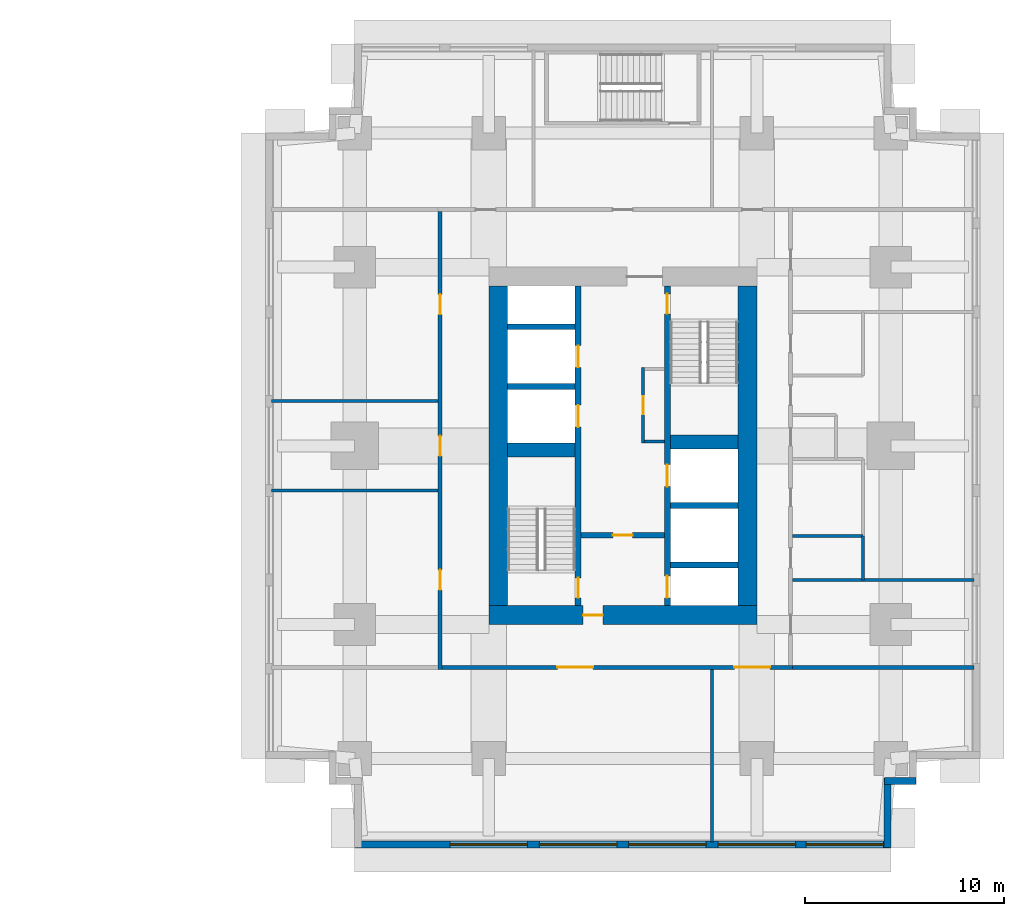
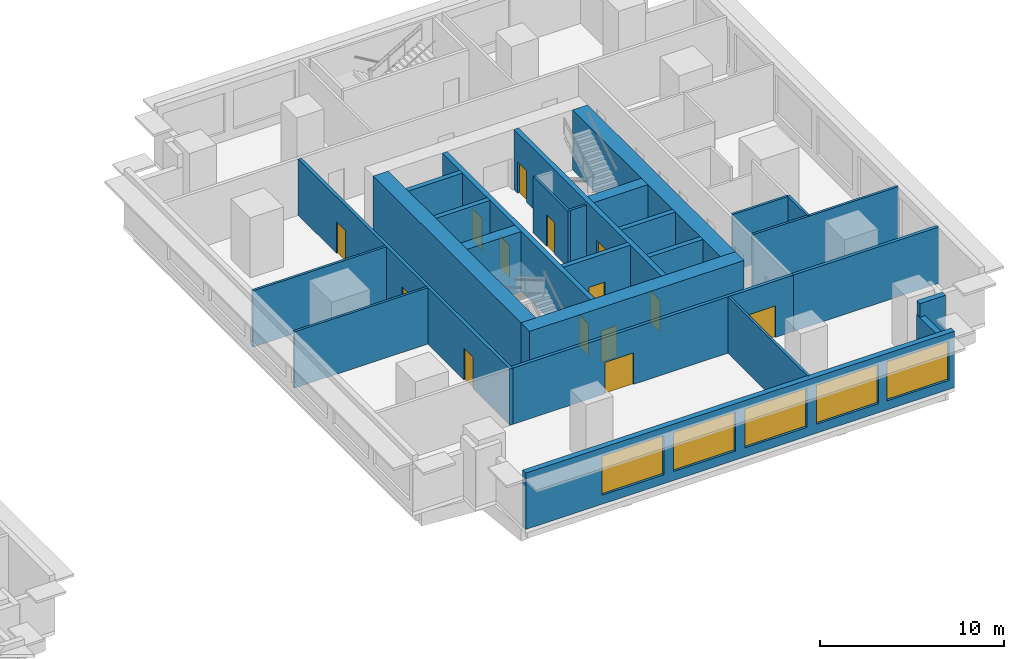
# One storey, part 6 of 11: 26 walls, 14 doors, 5 windows, 19 openings.
"""IFC4 building model written with IfcOpenShell, lengths in metres."""

from ifc_helpers import new_model, si_unit, direction, frame, frame_2d, origin, place, context, subcontext, project, spatial, rectangle, extrude, material, layer, layer_set, type_object, element, fill, save


model = new_model("IFC4")

# Units and contexts
model_context = context("Model", 3, precision=1e-05, world=origin(), true_north=direction((0.0, 1.0)))
body_context = subcontext(model_context, "Body", "Model", "MODEL_VIEW")
ifc_project = project(units=[si_unit("LENGTHUNIT", "METRE"), si_unit("AREAUNIT", "SQUARE_METRE"), si_unit("VOLUMEUNIT", "CUBIC_METRE"), si_unit("PLANEANGLEUNIT", "RADIAN"), si_unit("MASSUNIT", "GRAM", prefix="KILO")], contexts=[model_context])

# Site, building, storey
site_placement = place(None, origin())
site = spatial("IfcSite", under=ifc_project, at=site_placement, CompositionType="ELEMENT")
building_placement = place(site_placement, origin())
building = spatial("IfcBuilding", under=site, at=building_placement, Name="Namib Vertical Campus", CompositionType="ELEMENT")
storey_placement = place(building_placement, frame((0.0, 0.0, 53.0)))
storey = spatial("IfcBuildingStorey", under=building, at=storey_placement, Name="L12", CompositionType="ELEMENT", Elevation=53.0)

# Wall, openings, doors
ifc_material_1 = material(Name="Concrete C60/75", Category="concrete")
ifc_layer_1 = layer(ifc_material_1, 0.300048828125)
ifc_layer_set_1 = layer_set([ifc_layer_1], Name="Concrete C60/75")
wall_type_1 = type_object("IfcWallType", Name="Core inner wall 300", PredefinedType="SHEAR", material=ifc_layer_set_1)
wall_1_placement = place(storey_placement, frame((78.75, 12.199951171875, 0.0), z_axis=(0.0, 0.0, 1.0), x_axis=(0.0, 1.0, 0.0)))
wall_1 = element("IfcWall", 1, at=wall_1_placement, inside=storey, type_object=wall_type_1, Name="Core inner wall B L12 W1", PredefinedType="SHEAR", context=body_context, shape_type="SweptSolid", body=[
    extrude(rectangle(XDim=16.10009765625, YDim=0.300048828125, at=frame_2d((8.050048828125, 0.0))), origin(), (0.0, 0.0, 1.0), 4.0),
])
opening_1_placement = place(wall_1_placement, frame((0.39990234375, 0.0, 0.0)))
opening_1 = element("IfcOpeningElement", 2, at=opening_1_placement, cuts=wall_1, Name="Opening FD1", PredefinedType="OPENING", context=body_context, shape_type="SweptSolid", body=[
    extrude(rectangle(XDim=1.0, YDim=2.10009765625, at=frame_2d((0.5, 1.050048828125))), frame((0.0, 0.159912109375, 0.0), z_axis=(0.0, -1.0, 0.0), x_axis=(1.0, 0.0, 0.0)), (0.0, 0.0, 1.0), 0.320068359375),
])
opening_2_placement = place(wall_1_placement, frame((9.0, 0.0, 0.0)))
opening_2 = element("IfcOpeningElement", 3, at=opening_2_placement, cuts=wall_1, Name="Opening LD1", PredefinedType="OPENING", context=body_context, shape_type="SweptSolid", body=[
    extrude(rectangle(XDim=1.10009765625, YDim=2.10009765625, at=frame_2d((0.550048828125, 1.050048828125))), frame((0.0, 0.159912109375, 0.0), z_axis=(0.0, -1.0, 0.0), x_axis=(1.0, 0.0, 0.0)), (0.0, 0.0, 1.0), 0.320068359375),
])
opening_3_placement = place(wall_1_placement, frame((12.0, 0.0, 0.0)))
opening_3 = element("IfcOpeningElement", 4, at=opening_3_placement, cuts=wall_1, Name="Opening LD1", PredefinedType="OPENING", context=body_context, shape_type="SweptSolid", body=[
    extrude(rectangle(XDim=1.10009765625, YDim=2.10009765625, at=frame_2d((0.550048828125, 1.050048828125))), frame((0.0, 0.159912109375, 0.0), z_axis=(0.0, -1.0, 0.0), x_axis=(1.0, 0.0, 0.0)), (0.0, 0.0, 1.0), 0.320068359375),
])
ifc_material_2 = material(Name="Steel fire door", Category="steel")
door_type_1 = type_object("IfcDoorType", Name="Fire door 1000x2100", OperationType="SINGLE_SWING_RIGHT", PredefinedType="DOOR", material=ifc_material_2)
door_1_placement = place(opening_1_placement, origin())
door_1 = element("IfcDoor", 5, at=door_1_placement, inside=storey, type_object=door_type_1, Name="Stair door FD1 B L12 S1", OperationType="SINGLE_SWING_LEFT", OverallHeight=2.10009765625, OverallWidth=1.0, PredefinedType="DOOR", context=body_context, shape_type="SweptSolid", body=[
    extrude(rectangle(XDim=1.0, YDim=2.10009765625, at=frame_2d((0.5, 1.050048828125))), frame((0.0, 0.02490234375, 0.0), z_axis=(0.0, -1.0, 0.0), x_axis=(1.0, 0.0, 0.0)), (0.0, 0.0, 1.0), 0.050048828125),
])
fill(opening_1, door_1)
ifc_material_3 = material(Name="Stainless steel lift door", Category="steel")
door_type_2 = type_object("IfcDoorType", Name="Lift landing door 1100x2100", OperationType="DOUBLE_DOOR_SLIDING", PredefinedType="DOOR", material=ifc_material_3)
door_2_placement = place(opening_2_placement, origin())
door_2 = element("IfcDoor", 6, at=door_2_placement, inside=storey, type_object=door_type_2, Name="Lift landing door LD1 B-P1 L12", OperationType="DOUBLE_DOOR_SLIDING", OverallHeight=2.10009765625, OverallWidth=1.10009765625, PredefinedType="DOOR", context=body_context, shape_type="SweptSolid", body=[
    extrude(rectangle(XDim=1.10009765625, YDim=2.10009765625, at=frame_2d((0.550048828125, 1.050048828125))), frame((0.0, 0.02490234375, 0.0), z_axis=(0.0, -1.0, 0.0), x_axis=(1.0, 0.0, 0.0)), (0.0, 0.0, 1.0), 0.050048828125),
])
fill(opening_2, door_2)
door_3_placement = place(opening_3_placement, origin())
door_3 = element("IfcDoor", 7, at=door_3_placement, inside=storey, type_object=door_type_2, Name="Lift landing door LD1 B-P2 L12", OperationType="DOUBLE_DOOR_SLIDING", OverallHeight=2.10009765625, OverallWidth=1.10009765625, PredefinedType="DOOR", context=body_context, shape_type="SweptSolid", body=[
    extrude(rectangle(XDim=1.10009765625, YDim=2.10009765625, at=frame_2d((0.550048828125, 1.050048828125))), frame((0.0, 0.02490234375, 0.0), z_axis=(0.0, -1.0, 0.0), x_axis=(1.0, 0.0, 0.0)), (0.0, 0.0, 1.0), 0.050048828125),
])
fill(opening_3, door_3)

wall_2_placement = place(storey_placement, frame((83.25, 12.199951171875, 0.0), z_axis=(0.0, 0.0, 1.0), x_axis=(0.0, 1.0, 0.0)))
wall_2 = element("IfcWall", 8, at=wall_2_placement, inside=storey, type_object=wall_type_1, Name="Core inner wall B L12 W2", PredefinedType="SHEAR", context=body_context, shape_type="SweptSolid", body=[
    extrude(rectangle(XDim=16.10009765625, YDim=0.300048828125, at=frame_2d((8.050048828125, 0.0))), origin(), (0.0, 0.0, 1.0), 4.0),
])
opening_4_placement = place(wall_2_placement, frame((14.699951171875, 0.0, 0.0)))
opening_4 = element("IfcOpeningElement", 9, at=opening_4_placement, cuts=wall_2, Name="Opening FD1", PredefinedType="OPENING", context=body_context, shape_type="SweptSolid", body=[
    extrude(rectangle(XDim=1.0, YDim=2.10009765625, at=frame_2d((0.5, 1.050048828125))), frame((0.0, 0.159912109375, 0.0), z_axis=(0.0, -1.0, 0.0), x_axis=(1.0, 0.0, 0.0)), (0.0, 0.0, 1.0), 0.320068359375),
])
opening_5_placement = place(wall_2_placement, frame((0.39990234375, 0.0, 0.0)))
opening_5 = element("IfcOpeningElement", 10, at=opening_5_placement, cuts=wall_2, Name="Opening LD1", PredefinedType="OPENING", context=body_context, shape_type="SweptSolid", body=[
    extrude(rectangle(XDim=1.10009765625, YDim=2.10009765625, at=frame_2d((0.550048828125, 1.050048828125))), frame((0.0, 0.159912109375, 0.0), z_axis=(0.0, -1.0, 0.0), x_axis=(1.0, 0.0, 0.0)), (0.0, 0.0, 1.0), 0.320068359375),
])
opening_6_placement = place(wall_2_placement, frame((6.0, 0.0, 0.0)))
opening_6 = element("IfcOpeningElement", 11, at=opening_6_placement, cuts=wall_2, Name="Opening LD1", PredefinedType="OPENING", context=body_context, shape_type="SweptSolid", body=[
    extrude(rectangle(XDim=1.10009765625, YDim=2.10009765625, at=frame_2d((0.550048828125, 1.050048828125))), frame((0.0, 0.159912109375, 0.0), z_axis=(0.0, -1.0, 0.0), x_axis=(1.0, 0.0, 0.0)), (0.0, 0.0, 1.0), 0.320068359375),
])
door_4_placement = place(opening_4_placement, frame((1.0, 0.0, 0.0), z_axis=(0.0, 0.0, 1.0), x_axis=(-1.0, 0.0, 0.0)))
door_4 = element("IfcDoor", 12, at=door_4_placement, inside=storey, type_object=door_type_1, Name="Stair door FD1 B L12 S2", OperationType="SINGLE_SWING_LEFT", OverallHeight=2.10009765625, OverallWidth=1.0, PredefinedType="DOOR", context=body_context, shape_type="SweptSolid", body=[
    extrude(rectangle(XDim=1.0, YDim=2.10009765625, at=frame_2d((0.5, 1.050048828125))), frame((0.0, 0.02490234375, 0.0), z_axis=(0.0, -1.0, 0.0), x_axis=(1.0, 0.0, 0.0)), (0.0, 0.0, 1.0), 0.050048828125),
])
fill(opening_4, door_4)
door_5_placement = place(opening_5_placement, origin())
door_5 = element("IfcDoor", 13, at=door_5_placement, inside=storey, type_object=door_type_2, Name="Lift landing door LD1 B-FL1 L12", OperationType="DOUBLE_DOOR_SLIDING", OverallHeight=2.10009765625, OverallWidth=1.10009765625, PredefinedType="DOOR", context=body_context, shape_type="SweptSolid", body=[
    extrude(rectangle(XDim=1.10009765625, YDim=2.10009765625, at=frame_2d((0.550048828125, 1.050048828125))), frame((0.0, 0.02490234375, 0.0), z_axis=(0.0, -1.0, 0.0), x_axis=(1.0, 0.0, 0.0)), (0.0, 0.0, 1.0), 0.050048828125),
])
fill(opening_5, door_5)
door_6_placement = place(opening_6_placement, origin())
door_6 = element("IfcDoor", 14, at=door_6_placement, inside=storey, type_object=door_type_2, Name="Lift landing door LD1 B-P5 L12", OperationType="DOUBLE_DOOR_SLIDING", OverallHeight=2.10009765625, OverallWidth=1.10009765625, PredefinedType="DOOR", context=body_context, shape_type="SweptSolid", body=[
    extrude(rectangle(XDim=1.10009765625, YDim=2.10009765625, at=frame_2d((0.550048828125, 1.050048828125))), frame((0.0, 0.02490234375, 0.0), z_axis=(0.0, -1.0, 0.0), x_axis=(1.0, 0.0, 0.0)), (0.0, 0.0, 1.0), 0.050048828125),
])
fill(opening_6, door_6)

# Wall, opening, door
wall_3_placement = place(storey_placement, frame((78.89990234375, 15.75, 0.0), z_axis=(0.0, 0.0, 1.0), x_axis=(1.0, 0.0, 0.0)))
wall_3 = element("IfcWall", 15, at=wall_3_placement, inside=storey, type_object=wall_type_1, Name="Core inner wall B L12 W4", PredefinedType="SHEAR", context=body_context, shape_type="SweptSolid", body=[
    extrude(rectangle(XDim=4.2001953125, YDim=0.300048828125, at=frame_2d((2.10009765625, 0.0))), origin(), (0.0, 0.0, 1.0), 4.0),
])
opening_7_placement = place(wall_3_placement, frame((1.60009765625, 0.0, 0.0)))
opening_7 = element("IfcOpeningElement", 16, at=opening_7_placement, cuts=wall_3, Name="Opening FD5", PredefinedType="OPENING", context=body_context, shape_type="SweptSolid", body=[
    extrude(rectangle(XDim=1.0, YDim=2.10009765625, at=frame_2d((0.5, 1.050048828125))), frame((0.0, 0.159912109375, 0.0), z_axis=(0.0, -1.0, 0.0), x_axis=(1.0, 0.0, 0.0)), (0.0, 0.0, 1.0), 0.320068359375),
])
ifc_material_4 = material(Name="Steel fire door", Category="steel")
door_type_3 = type_object("IfcDoorType", Name="Fire door 1000x2100 120 min", OperationType="SINGLE_SWING_RIGHT", PredefinedType="DOOR", material=ifc_material_4)
door_7_placement = place(opening_7_placement, frame((1.0, 0.0, 0.0), z_axis=(0.0, 0.0, 1.0), x_axis=(-1.0, 0.0, 0.0)))
door_7 = element("IfcDoor", 17, at=door_7_placement, inside=storey, type_object=door_type_3, Name="Lobby door FD5 B L12", OperationType="SINGLE_SWING_RIGHT", OverallHeight=2.10009765625, OverallWidth=1.0, PredefinedType="DOOR", context=body_context, shape_type="SweptSolid", body=[
    extrude(rectangle(XDim=1.0, YDim=2.10009765625, at=frame_2d((0.5, 1.050048828125))), frame((0.0, 0.02490234375, 0.0), z_axis=(0.0, -1.0, 0.0), x_axis=(1.0, 0.0, 0.0)), (0.0, 0.0, 1.0), 0.050048828125),
])
fill(opening_7, door_7)

# Walls
for number, where, z_axis, x_axis, name in (
    (18, (83.39990234375, 14.25, 0.0), (0.0, 0.0, 1.0), (1.0, 0.0, 0.0), "Core inner wall B L12 W5"),
    (19, (83.39990234375, 17.25, 0.0), (0.0, 0.0, 1.0), (1.0, 0.0, 0.0), "Core inner wall B L12 W6"),
    (20, (75.199951171875, 23.25, 0.0), (0.0, 0.0, 1.0), (1.0, 0.0, 0.0), "Core inner wall B L12 W8"),
    (21, (75.199951171875, 26.25, 0.0), (0.0, 0.0, 1.0), (1.0, 0.0, 0.0), "Core inner wall B L12 W9"),
):
    element("IfcWall", number, at=place(storey_placement, frame(where, z_axis=z_axis, x_axis=x_axis)), inside=storey, type_object=wall_type_1, Name=name, PredefinedType="SHEAR", context=body_context, shape_type="SweptSolid", body=[
        extrude(rectangle(XDim=3.400146484375, YDim=0.300048828125, at=frame_2d((1.7001953125, 0.0))), origin(), (0.0, 0.0, 1.0), 4.0),
    ])
ifc_material_5 = material(Name="Concrete C60/75", Category="concrete")
ifc_layer_2 = layer(ifc_material_5, 0.699951171875)
ifc_layer_set_2 = layer_set([ifc_layer_2], Name="Concrete C60/75")
wall_type_2 = type_object("IfcWallType", Name="Core shear wall 700", PredefinedType="SHEAR", material=ifc_layer_set_2)
for number, where, z_axis, x_axis, name in (
    (22, (75.199951171875, 20.050048828125, 0.0), (0.0, 0.0, 1.0), (1.0, 0.0, 0.0), "Core shear wall B L12 W3"),
    (23, (83.39990234375, 20.449951171875, 0.0), (0.0, 0.0, 1.0), (1.0, 0.0, 0.0), "Core shear wall B L12 W7"),
):
    element("IfcWall", number, at=place(storey_placement, frame(where, z_axis=z_axis, x_axis=x_axis)), inside=storey, type_object=wall_type_2, Name=name, PredefinedType="SHEAR", context=body_context, shape_type="SweptSolid", body=[
        extrude(rectangle(XDim=3.400146484375, YDim=0.699951171875, at=frame_2d((1.7001953125, 0.0))), origin(), (0.0, 0.0, 1.0), 4.0),
    ])

# Wall, opening, door
ifc_material_6 = material(Name="Concrete C60/75", Category="concrete")
ifc_layer_3 = layer(ifc_material_6, 0.949951171875)
ifc_layer_set_3 = layer_set([ifc_layer_3], Name="Concrete C60/75")
wall_type_3 = type_object("IfcWallType", Name="Core wall 950", PredefinedType="SHEAR", material=ifc_layer_set_3)
wall_4_placement = place(storey_placement, frame((74.25, 11.72509765625, 0.0), z_axis=(0.0, 0.0, 1.0), x_axis=(1.0, 0.0, 0.0)))
wall_4 = element("IfcWall", 24, at=wall_4_placement, inside=storey, type_object=wall_type_3, Name="Core wall B L12 1", PredefinedType="SHEAR", context=body_context, shape_type="SweptSolid", body=[
    extrude(rectangle(XDim=13.5, YDim=0.949951171875, at=frame_2d((6.75, 0.0))), origin(), (0.0, 0.0, 1.0), 4.0),
])
opening_8_placement = place(wall_4_placement, frame((4.75, 0.0, 0.0)))
opening_8 = element("IfcOpeningElement", 25, at=opening_8_placement, cuts=wall_4, Name="Opening FD5", PredefinedType="OPENING", context=body_context, shape_type="SweptSolid", body=[
    extrude(rectangle(XDim=1.0, YDim=2.10009765625, at=frame_2d((0.5, 1.050048828125))), frame((0.0, 0.48486328125, 0.0), z_axis=(0.0, -1.0, 0.0), x_axis=(1.0, 0.0, 0.0)), (0.0, 0.0, 1.0), 0.969970703125),
])
door_8_placement = place(opening_8_placement, origin())
door_8 = element("IfcDoor", 26, at=door_8_placement, inside=storey, type_object=door_type_3, Name="Firefighting lobby door FD5 B L12", OperationType="SINGLE_SWING_LEFT", OverallHeight=2.10009765625, OverallWidth=1.0, PredefinedType="DOOR", context=body_context, shape_type="SweptSolid", body=[
    extrude(rectangle(XDim=1.0, YDim=2.10009765625, at=frame_2d((0.5, 1.050048828125))), frame((0.0, 0.02490234375, 0.0), z_axis=(0.0, -1.0, 0.0), x_axis=(1.0, 0.0, 0.0)), (0.0, 0.0, 1.0), 0.050048828125),
])
fill(opening_8, door_8)

# Walls
for number, where, z_axis, x_axis, name in (
    (27, (87.27490234375, 12.199951171875, 0.0), (0.0, 0.0, 1.0), (0.0, 1.0, 0.0), "Core wall B L12 2"),
    (28, (74.72509765625, 28.300048828125, 0.0), (0.0, 0.0, 1.0), (0.0, -1.0, 0.0), "Core wall B L12 4"),
):
    element("IfcWall", number, at=place(storey_placement, frame(where, z_axis=z_axis, x_axis=x_axis)), inside=storey, type_object=wall_type_3, Name=name, PredefinedType="SHEAR", context=body_context, shape_type="SweptSolid", body=[
        extrude(rectangle(XDim=16.10009765625, YDim=0.949951171875, at=frame_2d((8.050048828125, 0.0))), origin(), (0.0, 0.0, 1.0), 4.0),
    ])

# Wall, openings, doors
ifc_material_7 = material(Name="Concrete masonry", Category="masonry")
ifc_layer_4 = layer(ifc_material_7, 0.199951171875)
ifc_layer_set_4 = layer_set([ifc_layer_4], Name="Corridor wall 200")
wall_type_4 = type_object("IfcWallType", Name="Corridor wall 200", PredefinedType="SOLIDWALL", material=ifc_layer_set_4)
wall_5_placement = place(storey_placement, frame((71.89990234375, 9.10009765625, 0.0), z_axis=(0.0, 0.0, 1.0), x_axis=(1.0, 0.0, 0.0)))
wall_5 = element("IfcWall", 29, at=wall_5_placement, inside=storey, type_object=wall_type_4, Name="Corridor wall B L12 CS", PredefinedType="SOLIDWALL", context=body_context, shape_type="SweptSolid", body=[
    extrude(rectangle(XDim=17.650146484375, YDim=0.199951171875, at=frame_2d((8.8251953125, 0.0))), origin(), (0.0, 0.0, 1.0), 3.75),
])
opening_9_placement = place(wall_5_placement, frame((5.800048828125, 0.0, 0.0)))
opening_9 = element("IfcOpeningElement", 30, at=opening_9_placement, cuts=wall_5, Name="Opening CD2", PredefinedType="OPENING", context=body_context, shape_type="SweptSolid", body=[
    extrude(rectangle(XDim=1.800048828125, YDim=2.10009765625, at=frame_2d((0.89990234375, 1.050048828125))), frame((0.0, 0.10986328125, 0.0), z_axis=(0.0, -1.0, 0.0), x_axis=(1.0, 0.0, 0.0)), (0.0, 0.0, 1.0), 0.219970703125),
])
opening_10_placement = place(wall_5_placement, frame((14.72509765625, 0.0, 0.0)))
opening_10 = element("IfcOpeningElement", 31, at=opening_10_placement, cuts=wall_5, Name="Opening CD2", PredefinedType="OPENING", context=body_context, shape_type="SweptSolid", body=[
    extrude(rectangle(XDim=1.800048828125, YDim=2.10009765625, at=frame_2d((0.89990234375, 1.050048828125))), frame((0.0, 0.10986328125, 0.0), z_axis=(0.0, -1.0, 0.0), x_axis=(1.0, 0.0, 0.0)), (0.0, 0.0, 1.0), 0.219970703125),
])
ifc_material_8 = material(Name="Timber fire door leaf", Category="wood")
door_type_4 = type_object("IfcDoorType", Name="Corridor door double 1800x2100 20 min", OperationType="DOUBLE_DOOR_SINGLE_SWING", PredefinedType="DOOR", material=ifc_material_8)
door_9_placement = place(opening_9_placement, frame((1.800048828125, 0.0, 0.0), z_axis=(0.0, 0.0, 1.0), x_axis=(-1.0, 0.0, 0.0)))
door_9 = element("IfcDoor", 32, at=door_9_placement, inside=storey, type_object=door_type_4, Name="Door CD2 B12-01", OperationType="DOUBLE_DOOR_SINGLE_SWING", OverallHeight=2.10009765625, OverallWidth=1.800048828125, PredefinedType="DOOR", context=body_context, shape_type="SweptSolid", body=[
    extrude(rectangle(XDim=1.800048828125, YDim=2.10009765625, at=frame_2d((0.89990234375, 1.050048828125))), frame((0.0, 0.02490234375, 0.0), z_axis=(0.0, -1.0, 0.0), x_axis=(1.0, 0.0, 0.0)), (0.0, 0.0, 1.0), 0.050048828125),
])
fill(opening_9, door_9)
door_10_placement = place(opening_10_placement, frame((1.800048828125, 0.0, 0.0), z_axis=(0.0, 0.0, 1.0), x_axis=(-1.0, 0.0, 0.0)))
door_10 = element("IfcDoor", 33, at=door_10_placement, inside=storey, type_object=door_type_4, Name="Door CD2 B12-02", OperationType="DOUBLE_DOOR_SINGLE_SWING", OverallHeight=2.10009765625, OverallWidth=1.800048828125, PredefinedType="DOOR", context=body_context, shape_type="SweptSolid", body=[
    extrude(rectangle(XDim=1.800048828125, YDim=2.10009765625, at=frame_2d((0.89990234375, 1.050048828125))), frame((0.0, 0.02490234375, 0.0), z_axis=(0.0, -1.0, 0.0), x_axis=(1.0, 0.0, 0.0)), (0.0, 0.0, 1.0), 0.050048828125),
])
fill(opening_10, door_10)

wall_6_placement = place(storey_placement, frame((71.800048828125, 32.050048828125, 0.0), z_axis=(0.0, 0.0, 1.0), x_axis=(0.0, -1.0, 0.0)))
wall_6 = element("IfcWall", 34, at=wall_6_placement, inside=storey, type_object=wall_type_4, Name="Corridor wall B L12 CW", PredefinedType="SOLIDWALL", context=body_context, shape_type="SweptSolid", body=[
    extrude(rectangle(XDim=23.050048828125, YDim=0.199951171875, at=frame_2d((11.52490234375, 0.0))), origin(), (0.0, 0.0, 1.0), 3.75),
])
opening_11_placement = place(wall_6_placement, frame((18.050048828125, 0.0, 0.0)))
opening_11 = element("IfcOpeningElement", 35, at=opening_11_placement, cuts=wall_6, Name="Opening CD1", PredefinedType="OPENING", context=body_context, shape_type="SweptSolid", body=[
    extrude(rectangle(XDim=1.0, YDim=2.10009765625, at=frame_2d((0.5, 1.050048828125))), frame((0.0, 0.10986328125, 0.0), z_axis=(0.0, -1.0, 0.0), x_axis=(1.0, 0.0, 0.0)), (0.0, 0.0, 1.0), 0.219970703125),
])
opening_12_placement = place(wall_6_placement, frame((11.300048828125, 0.0, 0.0)))
opening_12 = element("IfcOpeningElement", 36, at=opening_12_placement, cuts=wall_6, Name="Opening CD1", PredefinedType="OPENING", context=body_context, shape_type="SweptSolid", body=[
    extrude(rectangle(XDim=1.0, YDim=2.10009765625, at=frame_2d((0.5, 1.050048828125))), frame((0.0, 0.10986328125, 0.0), z_axis=(0.0, -1.0, 0.0), x_axis=(1.0, 0.0, 0.0)), (0.0, 0.0, 1.0), 0.219970703125),
])
opening_13_placement = place(wall_6_placement, frame((4.175048828125, 0.0, 0.0)))
opening_13 = element("IfcOpeningElement", 37, at=opening_13_placement, cuts=wall_6, Name="Opening CD1", PredefinedType="OPENING", context=body_context, shape_type="SweptSolid", body=[
    extrude(rectangle(XDim=1.0, YDim=2.10009765625, at=frame_2d((0.5, 1.050048828125))), frame((0.0, 0.10986328125, 0.0), z_axis=(0.0, -1.0, 0.0), x_axis=(1.0, 0.0, 0.0)), (0.0, 0.0, 1.0), 0.219970703125),
])
ifc_material_9 = material(Name="Timber fire door leaf", Category="wood")
door_type_5 = type_object("IfcDoorType", Name="Corridor door 1000x2100 20 min", OperationType="SINGLE_SWING_LEFT", PredefinedType="DOOR", material=ifc_material_9)
door_11_placement = place(opening_11_placement, frame((1.0, 0.0, 0.0), z_axis=(0.0, 0.0, 1.0), x_axis=(-1.0, 0.0, 0.0)))
door_11 = element("IfcDoor", 38, at=door_11_placement, inside=storey, type_object=door_type_5, Name="Door CD1 B12-13", OperationType="SINGLE_SWING_RIGHT", OverallHeight=2.10009765625, OverallWidth=1.0, PredefinedType="DOOR", context=body_context, shape_type="SweptSolid", body=[
    extrude(rectangle(XDim=1.0, YDim=2.10009765625, at=frame_2d((0.5, 1.050048828125))), frame((0.0, 0.02490234375, 0.0), z_axis=(0.0, -1.0, 0.0), x_axis=(1.0, 0.0, 0.0)), (0.0, 0.0, 1.0), 0.050048828125),
])
fill(opening_11, door_11)
door_12_placement = place(opening_12_placement, frame((1.0, 0.0, 0.0), z_axis=(0.0, 0.0, 1.0), x_axis=(-1.0, 0.0, 0.0)))
door_12 = element("IfcDoor", 39, at=door_12_placement, inside=storey, type_object=door_type_5, Name="Door CD1 B12-14", OperationType="SINGLE_SWING_RIGHT", OverallHeight=2.10009765625, OverallWidth=1.0, PredefinedType="DOOR", context=body_context, shape_type="SweptSolid", body=[
    extrude(rectangle(XDim=1.0, YDim=2.10009765625, at=frame_2d((0.5, 1.050048828125))), frame((0.0, 0.02490234375, 0.0), z_axis=(0.0, -1.0, 0.0), x_axis=(1.0, 0.0, 0.0)), (0.0, 0.0, 1.0), 0.050048828125),
])
fill(opening_12, door_12)
door_13_placement = place(opening_13_placement, frame((1.0, 0.0, 0.0), z_axis=(0.0, 0.0, 1.0), x_axis=(-1.0, 0.0, 0.0)))
door_13 = element("IfcDoor", 40, at=door_13_placement, inside=storey, type_object=door_type_5, Name="Door CD1 B12-15", OperationType="SINGLE_SWING_RIGHT", OverallHeight=2.10009765625, OverallWidth=1.0, PredefinedType="DOOR", context=body_context, shape_type="SweptSolid", body=[
    extrude(rectangle(XDim=1.0, YDim=2.10009765625, at=frame_2d((0.5, 1.050048828125))), frame((0.0, 0.02490234375, 0.0), z_axis=(0.0, -1.0, 0.0), x_axis=(1.0, 0.0, 0.0)), (0.0, 0.0, 1.0), 0.050048828125),
])
fill(opening_13, door_13)

# Wall
wall_7_placement = place(storey_placement, frame((89.550048828125, 9.10009765625, 0.0), z_axis=(0.0, 0.0, 1.0), x_axis=(1.0, 0.0, 0.0)))
element("IfcWall", 41, at=wall_7_placement, inside=storey, type_object=wall_type_4, Name="Partition B L12 BSE", PredefinedType="SOLIDWALL", context=body_context, shape_type="SweptSolid", body=[
    extrude(rectangle(XDim=9.14990234375, YDim=0.199951171875, at=frame_2d((4.574951171875, 0.0))), origin(), (0.0, 0.0, 1.0), 3.75),
])

# Wall, openings, windows
ifc_material_10 = material(Name="Concrete C40/50", Category="concrete")
ifc_layer_5 = layer(ifc_material_10, 0.35009765625)
ifc_layer_set_5 = layer_set([ifc_layer_5], Name="Concrete C40/50")
wall_type_5 = type_object("IfcWallType", Name="External wall 350 bush-hammered concrete", PredefinedType="STANDARD", material=ifc_layer_set_5)
wall_8_placement = place(storey_placement, frame((67.52001953125, 0.175048828125, 0.0), z_axis=(0.0, 0.0, 1.0), x_axis=(1.0, 0.0, 0.0)))
wall_8 = element("IfcWall", 42, at=wall_8_placement, inside=storey, type_object=wall_type_5, Name="External wall L12 F01", PredefinedType="STANDARD", context=body_context, shape_type="SweptSolid", body=[
    extrude(rectangle(XDim=26.9599609375, YDim=0.35009765625, at=frame_2d((13.47998046875, 0.0))), origin(), (0.0, 0.0, 1.0), 3.75),
])
opening_14_placement = place(wall_8_placement, frame((4.780029296875, 0.0, 0.60009765625)))
opening_14 = element("IfcOpeningElement", 43, at=opening_14_placement, cuts=wall_8, Name="Opening W2", PredefinedType="OPENING", context=body_context, shape_type="SweptSolid", body=[
    extrude(rectangle(XDim=3.89990234375, YDim=2.60009765625, at=frame_2d((1.949951171875, 1.300048828125))), frame((0.0, 0.18505859375, 0.0), z_axis=(0.0, -1.0, 0.0), x_axis=(1.0, 0.0, 0.0)), (0.0, 0.0, 1.0), 0.3701171875),
])
opening_15_placement = place(wall_8_placement, frame((9.280029296875, 0.0, 0.60009765625)))
opening_15 = element("IfcOpeningElement", 44, at=opening_15_placement, cuts=wall_8, Name="Opening W2", PredefinedType="OPENING", context=body_context, shape_type="SweptSolid", body=[
    extrude(rectangle(XDim=3.89990234375, YDim=2.60009765625, at=frame_2d((1.949951171875, 1.300048828125))), frame((0.0, 0.18505859375, 0.0), z_axis=(0.0, -1.0, 0.0), x_axis=(1.0, 0.0, 0.0)), (0.0, 0.0, 1.0), 0.3701171875),
])
opening_16_placement = place(wall_8_placement, frame((13.780029296875, 0.0, 0.60009765625)))
opening_16 = element("IfcOpeningElement", 45, at=opening_16_placement, cuts=wall_8, Name="Opening W2", PredefinedType="OPENING", context=body_context, shape_type="SweptSolid", body=[
    extrude(rectangle(XDim=3.89990234375, YDim=2.60009765625, at=frame_2d((1.949951171875, 1.300048828125))), frame((0.0, 0.18505859375, 0.0), z_axis=(0.0, -1.0, 0.0), x_axis=(1.0, 0.0, 0.0)), (0.0, 0.0, 1.0), 0.3701171875),
])
opening_17_placement = place(wall_8_placement, frame((18.280029296875, 0.0, 0.60009765625)))
opening_17 = element("IfcOpeningElement", 46, at=opening_17_placement, cuts=wall_8, Name="Opening W2", PredefinedType="OPENING", context=body_context, shape_type="SweptSolid", body=[
    extrude(rectangle(XDim=3.89990234375, YDim=2.60009765625, at=frame_2d((1.949951171875, 1.300048828125))), frame((0.0, 0.18505859375, 0.0), z_axis=(0.0, -1.0, 0.0), x_axis=(1.0, 0.0, 0.0)), (0.0, 0.0, 1.0), 0.3701171875),
])
opening_18_placement = place(wall_8_placement, frame((22.7099609375, 0.0, 0.60009765625)))
opening_18 = element("IfcOpeningElement", 47, at=opening_18_placement, cuts=wall_8, Name="Opening W2", PredefinedType="OPENING", context=body_context, shape_type="SweptSolid", body=[
    extrude(rectangle(XDim=3.89990234375, YDim=2.60009765625, at=frame_2d((1.949951171875, 1.300048828125))), frame((0.0, 0.18505859375, 0.0), z_axis=(0.0, -1.0, 0.0), x_axis=(1.0, 0.0, 0.0)), (0.0, 0.0, 1.0), 0.3701171875),
])
ifc_material_11 = material(Name="Dark tinted glass in black aluminium frame", Category="aluminium")
window_type = type_object("IfcWindowType", Name="Ribbon window 3900x2600", PartitioningType="SINGLE_PANEL", PredefinedType="WINDOW", material=ifc_material_11)
window_1_placement = place(opening_14_placement, origin())
window_1 = element("IfcWindow", 48, at=window_1_placement, inside=storey, type_object=window_type, Name="Window W2 L12 F01-2", OverallHeight=2.60009765625, OverallWidth=3.89990234375, PartitioningType="SINGLE_PANEL", PredefinedType="WINDOW", context=body_context, shape_type="SweptSolid", body=[
    extrude(rectangle(XDim=3.89990234375, YDim=2.60009765625, at=frame_2d((1.949951171875, 1.300048828125))), frame((0.0, 0.030029296875, 0.0), z_axis=(0.0, -1.0, 0.0), x_axis=(1.0, 0.0, 0.0)), (0.0, 0.0, 1.0), 0.06005859375),
])
fill(opening_14, window_1)
window_2_placement = place(opening_15_placement, origin())
window_2 = element("IfcWindow", 49, at=window_2_placement, inside=storey, type_object=window_type, Name="Window W2 L12 F01-3", OverallHeight=2.60009765625, OverallWidth=3.89990234375, PartitioningType="SINGLE_PANEL", PredefinedType="WINDOW", context=body_context, shape_type="SweptSolid", body=[
    extrude(rectangle(XDim=3.89990234375, YDim=2.60009765625, at=frame_2d((1.949951171875, 1.300048828125))), frame((0.0, 0.030029296875, 0.0), z_axis=(0.0, -1.0, 0.0), x_axis=(1.0, 0.0, 0.0)), (0.0, 0.0, 1.0), 0.06005859375),
])
fill(opening_15, window_2)
window_3_placement = place(opening_16_placement, origin())
window_3 = element("IfcWindow", 50, at=window_3_placement, inside=storey, type_object=window_type, Name="Window W2 L12 F01-4", OverallHeight=2.60009765625, OverallWidth=3.89990234375, PartitioningType="SINGLE_PANEL", PredefinedType="WINDOW", context=body_context, shape_type="SweptSolid", body=[
    extrude(rectangle(XDim=3.89990234375, YDim=2.60009765625, at=frame_2d((1.949951171875, 1.300048828125))), frame((0.0, 0.030029296875, 0.0), z_axis=(0.0, -1.0, 0.0), x_axis=(1.0, 0.0, 0.0)), (0.0, 0.0, 1.0), 0.06005859375),
])
fill(opening_16, window_3)
window_4_placement = place(opening_17_placement, origin())
window_4 = element("IfcWindow", 51, at=window_4_placement, inside=storey, type_object=window_type, Name="Window W2 L12 F01-5", OverallHeight=2.60009765625, OverallWidth=3.89990234375, PartitioningType="SINGLE_PANEL", PredefinedType="WINDOW", context=body_context, shape_type="SweptSolid", body=[
    extrude(rectangle(XDim=3.89990234375, YDim=2.60009765625, at=frame_2d((1.949951171875, 1.300048828125))), frame((0.0, 0.030029296875, 0.0), z_axis=(0.0, -1.0, 0.0), x_axis=(1.0, 0.0, 0.0)), (0.0, 0.0, 1.0), 0.06005859375),
])
fill(opening_17, window_4)
window_5_placement = place(opening_18_placement, origin())
window_5 = element("IfcWindow", 52, at=window_5_placement, inside=storey, type_object=window_type, Name="Window W2 L12 F01-6", OverallHeight=2.60009765625, OverallWidth=3.89990234375, PartitioningType="SINGLE_PANEL", PredefinedType="WINDOW", context=body_context, shape_type="SweptSolid", body=[
    extrude(rectangle(XDim=3.89990234375, YDim=2.60009765625, at=frame_2d((1.949951171875, 1.300048828125))), frame((0.0, 0.030029296875, 0.0), z_axis=(0.0, -1.0, 0.0), x_axis=(1.0, 0.0, 0.0)), (0.0, 0.0, 1.0), 0.06005859375),
])
fill(opening_18, window_5)

# Walls
wall_9_placement = place(storey_placement, frame((94.324951171875, 0.02001953125, 0.0), z_axis=(0.0, 0.0, 1.0), x_axis=(0.0, 1.0, 0.0)))
element("IfcWall", 53, at=wall_9_placement, inside=storey, type_object=wall_type_5, Name="External wall L12 F02", PredefinedType="STANDARD", context=body_context, shape_type="SweptSolid", body=[
    extrude(rectangle(XDim=3.510009765625, YDim=0.35009765625, at=frame_2d((1.7548828125, 0.0))), origin(), (0.0, 0.0, 1.0), 2.85009765625),
])
wall_10_placement = place(storey_placement, frame((94.169921875, 3.375, 0.0), z_axis=(0.0, 0.0, 1.0), x_axis=(1.0, 0.0, 0.0)))
element("IfcWall", 54, at=wall_10_placement, inside=storey, type_object=wall_type_5, Name="External wall L12 F03", PredefinedType="STANDARD", context=body_context, shape_type="SweptSolid", body=[
    extrude(rectangle(XDim=1.610107421875, YDim=0.35009765625, at=frame_2d((0.80517578125, 0.0))), origin(), (0.0, 0.0, 1.0), 3.75),
])

# Wall, opening, door
ifc_material_12 = material(Name="Gypsum board on steel studs", Category="steel")
ifc_layer_6 = layer(ifc_material_12, 0.14990234375)
ifc_layer_set_6 = layer_set([ifc_layer_6], Name="Gypsum board on steel studs")
wall_type_6 = type_object("IfcWallType", Name="Partition 150", PredefinedType="PARTITIONING", material=ifc_layer_set_6)
wall_11_placement = place(storey_placement, frame((82.02490234375, 20.39990234375, 0.0), z_axis=(0.0, 0.0, 1.0), x_axis=(0.0, 1.0, 0.0)))
wall_11 = element("IfcWall", 55, at=wall_11_placement, inside=storey, type_object=wall_type_6, Name="Partition B L12 Linen store front", PredefinedType="PARTITIONING", context=body_context, shape_type="SweptSolid", body=[
    extrude(rectangle(XDim=3.800048828125, YDim=0.14990234375, at=frame_2d((1.89990234375, 0.0))), origin(), (0.0, 0.0, 1.0), 3.75),
])
opening_19_placement = place(wall_11_placement, frame((1.449951171875, 0.0, 0.0)))
opening_19 = element("IfcOpeningElement", 56, at=opening_19_placement, cuts=wall_11, Name="Opening D3", PredefinedType="OPENING", context=body_context, shape_type="SweptSolid", body=[
    extrude(rectangle(XDim=0.89990234375, YDim=2.10009765625, at=frame_2d((0.449951171875, 1.050048828125))), frame((0.0, 0.0849609375, 0.0), z_axis=(0.0, -1.0, 0.0), x_axis=(1.0, 0.0, 0.0)), (0.0, 0.0, 1.0), 0.169921875),
])
ifc_material_13 = material(Name="Timber door leaf", Category="wood")
door_type_6 = type_object("IfcDoorType", Name="Toilet door 900x2100", OperationType="SINGLE_SWING_LEFT", PredefinedType="DOOR", material=ifc_material_13)
door_14_placement = place(opening_19_placement, frame((0.89990234375, 0.0, 0.0), z_axis=(0.0, 0.0, 1.0), x_axis=(-1.0, 0.0, 0.0)))
door_14 = element("IfcDoor", 57, at=door_14_placement, inside=storey, type_object=door_type_6, Name="Door D3 Linen store B L12", OperationType="SINGLE_SWING_RIGHT", OverallHeight=2.10009765625, OverallWidth=0.89990234375, PredefinedType="DOOR", context=body_context, shape_type="SweptSolid", body=[
    extrude(rectangle(XDim=0.89990234375, YDim=2.10009765625, at=frame_2d((0.449951171875, 1.050048828125))), frame((0.0, 0.02490234375, 0.0), z_axis=(0.0, -1.0, 0.0), x_axis=(1.0, 0.0, 0.0)), (0.0, 0.0, 1.0), 0.050048828125),
])
fill(opening_19, door_14)

# Walls
wall_12_placement = place(storey_placement, frame((82.10009765625, 20.47509765625, 0.0), z_axis=(0.0, 0.0, 1.0), x_axis=(1.0, 0.0, 0.0)))
element("IfcWall", 58, at=wall_12_placement, inside=storey, type_object=wall_type_6, Name="Partition B L12 Linen store end 1", PredefinedType="PARTITIONING", context=body_context, shape_type="SweptSolid", body=[
    extrude(rectangle(XDim=1.0, YDim=0.14990234375, at=frame_2d((0.5, 0.0))), origin(), (0.0, 0.0, 1.0), 3.75),
])
wall_13_placement = place(storey_placement, frame((85.5, 0.300048828125, 0.0), z_axis=(0.0, 0.0, 1.0), x_axis=(0.0, 1.0, 0.0)))
element("IfcWall", 59, at=wall_13_placement, inside=storey, type_object=wall_type_6, Name="Partition B L12 PS1", PredefinedType="PARTITIONING", context=body_context, shape_type="SweptSolid", body=[
    extrude(rectangle(XDim=8.699951171875, YDim=0.14990234375, at=frame_2d((4.35009765625, 0.0))), origin(), (0.0, 0.0, 1.0), 3.75),
])
wall_14_placement = place(storey_placement, frame((89.550048828125, 13.5, 0.0), z_axis=(0.0, 0.0, 1.0), x_axis=(1.0, 0.0, 0.0)))
element("IfcWall", 60, at=wall_14_placement, inside=storey, type_object=wall_type_6, Name="Partition B L12 PE1", PredefinedType="PARTITIONING", context=body_context, shape_type="SweptSolid", body=[
    extrude(rectangle(XDim=9.14990234375, YDim=0.14990234375, at=frame_2d((4.574951171875, 0.0))), origin(), (0.0, 0.0, 1.0), 3.75),
])
for number, where, z_axis, x_axis, name in (
    (61, (63.300048828125, 18.0, 0.0), (0.0, 0.0, 1.0), (1.0, 0.0, 0.0), "Partition B L12 PW1"),
    (62, (63.300048828125, 22.5, 0.0), (0.0, 0.0, 1.0), (1.0, 0.0, 0.0), "Partition B L12 PW2"),
):
    element("IfcWall", number, at=place(storey_placement, frame(where, z_axis=z_axis, x_axis=x_axis)), inside=storey, type_object=wall_type_6, Name=name, PredefinedType="PARTITIONING", context=body_context, shape_type="SweptSolid", body=[
        extrude(rectangle(XDim=8.39990234375, YDim=0.14990234375, at=frame_2d((4.199951171875, 0.0))), origin(), (0.0, 0.0, 1.0), 3.75),
    ])
wall_15_placement = place(storey_placement, frame((89.550048828125, 15.699951171875, 0.0), z_axis=(0.0, 0.0, 1.0), x_axis=(1.0, 0.0, 0.0)))
element("IfcWall", 63, at=wall_15_placement, inside=storey, type_object=wall_type_6, Name="Partition B L12 WR1", PredefinedType="PARTITIONING", context=body_context, shape_type="SweptSolid", body=[
    extrude(rectangle(XDim=3.550048828125, YDim=0.14990234375, at=frame_2d((1.77490234375, 0.0))), origin(), (0.0, 0.0, 1.0), 3.75),
])
wall_16_placement = place(storey_placement, frame((93.10009765625, 13.5, 0.0), z_axis=(0.0, 0.0, 1.0), x_axis=(0.0, 1.0, 0.0)))
element("IfcWall", 64, at=wall_16_placement, inside=storey, type_object=wall_type_6, Name="Partition B L12 WB1", PredefinedType="PARTITIONING", context=body_context, shape_type="SweptSolid", body=[
    extrude(rectangle(XDim=2.199951171875, YDim=0.14990234375, at=frame_2d((1.10009765625, 0.0))), origin(), (0.0, 0.0, 1.0), 3.75),
])

save(model, "model.ifc")
